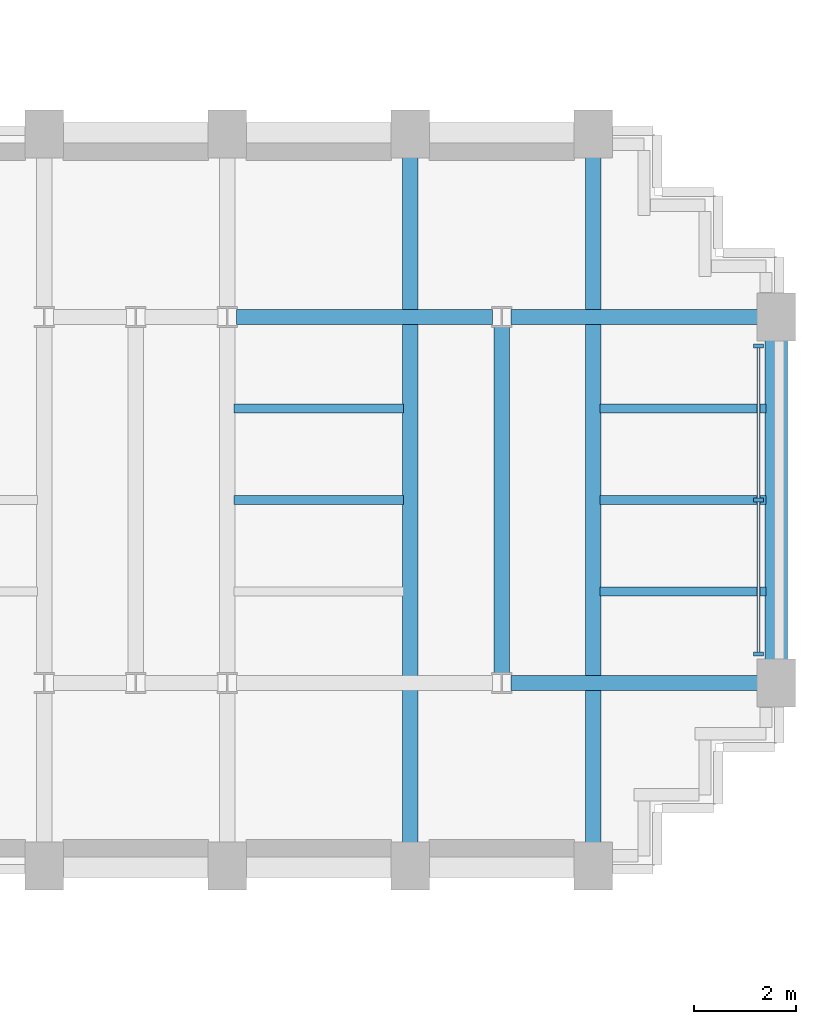
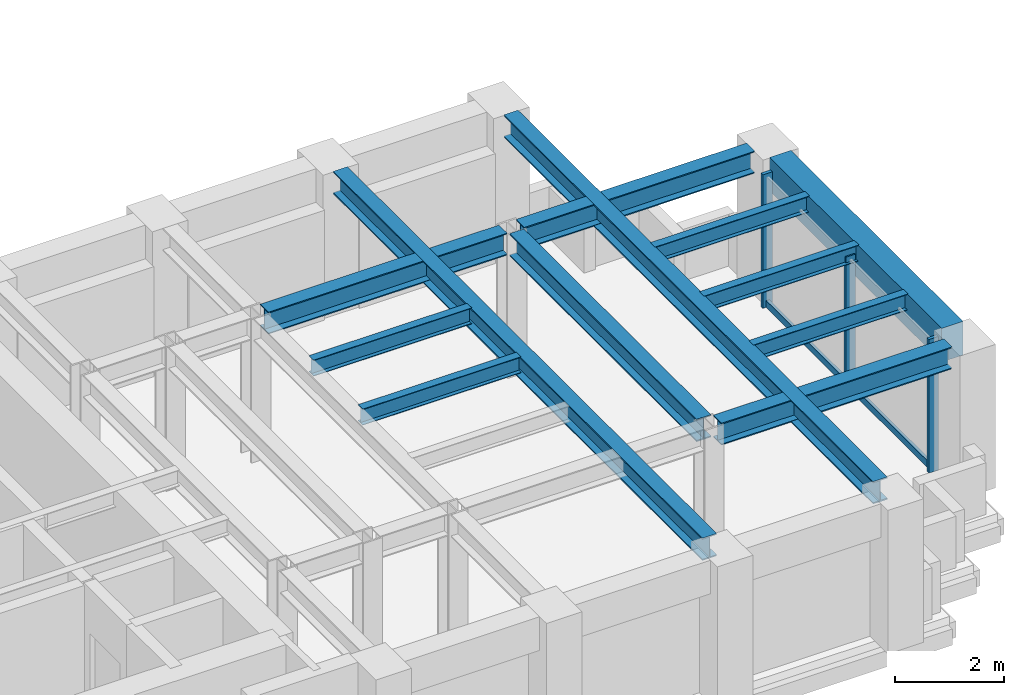
# One storey, part 6 of 16: 12 beams, 5 members, 1 element without a shape of its own.
"""IFC4 building model written with IfcOpenShell, lengths in metres."""

from ifc_helpers import new_model, si_unit, direction, frame, origin, origin_2d, place, context, subcontext, project, spatial, rectangle, i_section, extrude, source, transform, mapped, material, material_profile, profile_set, type_object, element, aggregate, save


model = new_model("IFC4")

# Units and contexts
model_context = context("Model", 3, precision=1e-05, world=origin(), true_north=direction((0.0, 1.0)))
body_context = subcontext(model_context, "Body", "Model", "MODEL_VIEW")
ifc_project = project(units=[si_unit("LENGTHUNIT", "METRE"), si_unit("AREAUNIT", "SQUARE_METRE"), si_unit("VOLUMEUNIT", "CUBIC_METRE"), si_unit("PLANEANGLEUNIT", "RADIAN"), si_unit("MASSUNIT", "GRAM", prefix="KILO")], contexts=[model_context])

# Site, building, storey
site_placement = place(None, origin())
site = spatial("IfcSite", under=ifc_project, at=site_placement, CompositionType="ELEMENT")
building_placement = place(site_placement, origin())
building = spatial("IfcBuilding", under=site, at=building_placement, Name="Keilestroom Media Tower", CompositionType="ELEMENT")
storey_placement = place(building_placement, frame((0.0, 0.0, 74.800048828125)))
storey = spatial("IfcBuildingStorey", under=building, at=storey_placement, Name="L19", CompositionType="ELEMENT", Elevation=74.800048828125)

# Beams
ifc_material_1 = material(Name="Precast concrete C40/50", Category="concrete")
ifc_material_profile_1 = material_profile(ifc_material_1, rectangle(XDim=0.449951171875, YDim=0.75, at=origin_2d()), Name="PC 450x750")
ifc_profile_set_1 = profile_set([ifc_material_profile_1], Name="Precast concrete C40/50")
beam_type_1 = type_object("IfcBeamType", Name="Perimeter-Spandrel-Beam-PC-450x750", PredefinedType="SPANDREL", material=ifc_profile_set_1)
shared_shape_1 = source(origin(), body_context, "Body", "SweptSolid", [
    extrude(rectangle(XDim=0.449951171875, YDim=0.75, at=origin_2d()), origin(), (0.0, 0.0, 1.0), 6.2900390625),
])
beam_1_placement = place(storey_placement, frame((28.800048828125, -3.14501953125, 2.824951171875), z_axis=(0.0, 1.0, 0.0), x_axis=(-1.0, 0.0, 0.0)))
element("IfcBeam", 1, at=beam_1_placement, inside=storey, type_object=beam_type_1, Name="L19 Beam SPB-1 BM-L19-NS-086", PredefinedType="SPANDREL", context=body_context, shape_type="MappedRepresentation", body=[
    mapped(shared_shape_1, transform((0.0, 0.0, 0.0), x_axis=(1.0, 0.0, 0.0), y_axis=(0.0, 1.0, 0.0), z_axis=(0.0, 0.0, 1.0), scale=1.0)),
])
ifc_material_2 = material(Name="Steel S355", Category="steel")
ifc_material_profile_2 = material_profile(ifc_material_2, i_section(OverallWidth=0.300048828125, OverallDepth=0.5, WebThickness=0.012451171875, FlangeThickness=0.028076171875, at=origin_2d()), Name="HEB 500")
ifc_profile_set_2 = profile_set([ifc_material_profile_2], Name="Steel S355")
beam_type_2 = type_object("IfcBeamType", Name="Primary-Structural-Girder-HEB-500", PredefinedType="BEAM", material=ifc_profile_set_2)
shared_shape_2 = source(origin(), body_context, "Body", "SweptSolid", [
    extrude(i_section(OverallWidth=0.300048828125, OverallDepth=0.5, WebThickness=0.012451171875, FlangeThickness=0.028076171875, at=origin_2d()), origin(), (0.0, 0.0, 1.0), 13.490234375),
])
for number, where, z_axis, x_axis, name in (
    (2, (21.60009765625, -6.7451171875, 2.949951171875), (0.0, 1.0, 0.0), (-1.0, 0.0, 0.0), "L19 Beam BG-6 BM-L19-NS-083"),
    (3, (25.199951171875, -6.7451171875, 2.949951171875), (0.0, 1.0, 0.0), (-1.0, 0.0, 0.0), "L19 Beam BG-6 BM-L19-NS-085"),
):
    element("IfcBeam", number, at=place(storey_placement, frame(where, z_axis=z_axis, x_axis=x_axis)), inside=storey, type_object=beam_type_2, Name=name, PredefinedType="BEAM", context=body_context, shape_type="MappedRepresentation", body=[
        mapped(shared_shape_2, transform((0.0, 0.0, 0.0), x_axis=(1.0, 0.0, 0.0), y_axis=(0.0, 1.0, 0.0), z_axis=(0.0, 0.0, 1.0), scale=1.0)),
    ])
shared_shape_3 = source(origin(), body_context, "Body", "SweptSolid", [
    extrude(i_section(OverallWidth=0.300048828125, OverallDepth=0.5, WebThickness=0.012451171875, FlangeThickness=0.028076171875, at=origin_2d()), origin(), (0.0, 0.0, 1.0), 6.8330078125),
])
beam_2_placement = place(storey_placement, frame((23.39990234375, -3.41650390625, 2.949951171875), z_axis=(0.0, 1.0, 0.0), x_axis=(-1.0, 0.0, 0.0)))
element("IfcBeam", 4, at=beam_2_placement, inside=storey, type_object=beam_type_2, Name="L19 Beam BG-6 BM-L19-NS-084", PredefinedType="BEAM", context=body_context, shape_type="MappedRepresentation", body=[
    mapped(shared_shape_3, transform((0.0, 0.0, 0.0), x_axis=(1.0, 0.0, 0.0), y_axis=(0.0, 1.0, 0.0), z_axis=(0.0, 0.0, 1.0), scale=1.0)),
])
ifc_material_profile_3 = material_profile(ifc_material_2, i_section(OverallWidth=0.300048828125, OverallDepth=0.489990234375, WebThickness=0.011962890625, FlangeThickness=0.02294921875, at=origin_2d()), Name="HEA 500")
ifc_profile_set_3 = profile_set([ifc_material_profile_3], Name="Steel S355")
beam_type_3 = type_object("IfcBeamType", Name="Primary-Structural-Girder-HEA-500", PredefinedType="BEAM", material=ifc_profile_set_3)
shared_shape_4 = source(origin(), body_context, "Body", "SweptSolid", [
    extrude(i_section(OverallWidth=0.300048828125, OverallDepth=0.489990234375, WebThickness=0.011962890625, FlangeThickness=0.02294921875, at=origin_2d()), origin(), (0.0, 0.0, 1.0), 4.863037109375),
])
for number, where, z_axis, x_axis, name in (
    (5, (23.58203125, -3.60009765625, 2.954833984375), (1.0, 0.0, 0.0), (0.0, 1.0, 0.0), "L19 Beam BG-10 BM-L19-EW-025"),
    (6, (23.58203125, 3.60009765625, 2.954833984375), (1.0, 0.0, 0.0), (0.0, 1.0, 0.0), "L19 Beam BG-10 BM-L19-EW-033"),
):
    element("IfcBeam", number, at=place(storey_placement, frame(where, z_axis=z_axis, x_axis=x_axis)), inside=storey, type_object=beam_type_3, Name=name, PredefinedType="BEAM", context=body_context, shape_type="MappedRepresentation", body=[
        mapped(shared_shape_4, transform((0.0, 0.0, 0.0), x_axis=(1.0, 0.0, 0.0), y_axis=(0.0, 1.0, 0.0), z_axis=(0.0, 0.0, 1.0), scale=1.0)),
    ])
shared_shape_5 = source(origin(), body_context, "Body", "SweptSolid", [
    extrude(i_section(OverallWidth=0.300048828125, OverallDepth=0.489990234375, WebThickness=0.011962890625, FlangeThickness=0.02294921875, at=origin_2d()), origin(), (0.0, 0.0, 1.0), 5.0361328125),
])
beam_3_placement = place(storey_placement, frame((18.181884765625, 3.60009765625, 2.954833984375), z_axis=(1.0, 0.0, 0.0), x_axis=(0.0, 1.0, 0.0)))
element("IfcBeam", 7, at=beam_3_placement, inside=storey, type_object=beam_type_3, Name="L19 Beam BG-10 BM-L19-EW-032", PredefinedType="BEAM", context=body_context, shape_type="MappedRepresentation", body=[
    mapped(shared_shape_5, transform((0.0, 0.0, 0.0), x_axis=(1.0, 0.0, 0.0), y_axis=(0.0, 1.0, 0.0), z_axis=(0.0, 0.0, 1.0), scale=1.0)),
])
ifc_material_profile_4 = material_profile(ifc_material_2, i_section(OverallWidth=0.169921875, OverallDepth=0.360107421875, WebThickness=0.008056640625, FlangeThickness=0.0126953125, at=origin_2d()), Name="IPE 360")
ifc_profile_set_4 = profile_set([ifc_material_profile_4], Name="Steel S355")
beam_type_4 = type_object("IfcBeamType", Name="Secondary-Floor-Joist-IPE-360", PredefinedType="JOIST", material=ifc_profile_set_4)
shared_shape_6 = source(origin(), body_context, "Body", "SweptSolid", [
    extrude(i_section(OverallWidth=0.169921875, OverallDepth=0.360107421875, WebThickness=0.008056640625, FlangeThickness=0.0126953125, at=origin_2d()), origin(), (0.0, 0.0, 1.0), 3.264892578125),
])
for number, where, z_axis, x_axis, name in (
    (8, (25.330078125, -1.800048828125, 3.02001953125), (1.0, 0.0, 0.0), (0.0, 1.0, 0.0), "L19 Beam BJ-5 JST-L19-095"),
    (9, (25.330078125, 0.0, 3.02001953125), (1.0, 0.0, 0.0), (0.0, 1.0, 0.0), "L19 Beam BJ-5 JST-L19-102"),
    (10, (25.330078125, 1.800048828125, 3.02001953125), (1.0, 0.0, 0.0), (0.0, 1.0, 0.0), "L19 Beam BJ-5 JST-L19-109"),
):
    element("IfcBeam", number, at=place(storey_placement, frame(where, z_axis=z_axis, x_axis=x_axis)), inside=storey, type_object=beam_type_4, Name=name, PredefinedType="JOIST", context=body_context, shape_type="MappedRepresentation", body=[
        mapped(shared_shape_6, transform((0.0, 0.0, 0.0), x_axis=(1.0, 0.0, 0.0), y_axis=(0.0, 1.0, 0.0), z_axis=(0.0, 0.0, 1.0), scale=1.0)),
    ])
shared_shape_7 = source(origin(), body_context, "Body", "SweptSolid", [
    extrude(i_section(OverallWidth=0.169921875, OverallDepth=0.360107421875, WebThickness=0.008056640625, FlangeThickness=0.0126953125, at=origin_2d()), origin(), (0.0, 0.0, 1.0), 3.340087890625),
])
for number, where, z_axis, x_axis, name in (
    (11, (18.1298828125, 0.0, 3.02001953125), (1.0, 0.0, 0.0), (0.0, 1.0, 0.0), "L19 Beam BJ-5 JST-L19-101"),
    (12, (18.1298828125, 1.800048828125, 3.02001953125), (1.0, 0.0, 0.0), (0.0, 1.0, 0.0), "L19 Beam BJ-5 JST-L19-108"),
):
    element("IfcBeam", number, at=place(storey_placement, frame(where, z_axis=z_axis, x_axis=x_axis)), inside=storey, type_object=beam_type_4, Name=name, PredefinedType="JOIST", context=body_context, shape_type="MappedRepresentation", body=[
        mapped(shared_shape_7, transform((0.0, 0.0, 0.0), x_axis=(1.0, 0.0, 0.0), y_axis=(0.0, 1.0, 0.0), z_axis=(0.0, 0.0, 1.0), scale=1.0)),
    ])

# Curtain wall, members
ifc_material_3 = material(Name="Anodised Aluminium Alloy", Category="aluminium")
curtain_wall_type = type_object("IfcCurtainWallType", Name="Unitised-Curtain-Wall-CW-1", PredefinedType="NOTDEFINED", material=ifc_material_3)
curtain_wall_placement = place(storey_placement, origin())
curtain_wall = element("IfcCurtainWall", 13, at=curtain_wall_placement, inside=storey, type_object=curtain_wall_type, Name="L19 Curtain Wall CW-1 CW-L19-E-1", PredefinedType="NOTDEFINED")
ifc_material_profile_5 = material_profile(ifc_material_3, rectangle(XDim=0.070068359375, YDim=0.199951171875, at=origin_2d()), Name="ALU MULLION 70x200")
ifc_profile_set_5 = profile_set([ifc_material_profile_5], Name="Anodised Aluminium Alloy")
member_type_1 = type_object("IfcMemberType", Name="Curtain-Wall-Mullion-CW-1", PredefinedType="MULLION", material=ifc_profile_set_5)
shared_shape_8 = source(origin(), body_context, "Body", "SweptSolid", [
    extrude(rectangle(XDim=0.070068359375, YDim=0.199951171875, at=origin_2d()), origin(), (0.0, 0.0, 1.0), 2.97998046875),
])
member_1_placement = place(storey_placement, frame((28.449951171875, -3.030029296875, 0.0), z_axis=(0.0, 0.0, 1.0), x_axis=(0.0, 1.0, 0.0)))
member_1 = element("IfcMember", 14, at=member_1_placement, type_object=member_type_1, Name="CW-1 Mullion 00", PredefinedType="MULLION", context=body_context, shape_type="MappedRepresentation", body=[
    mapped(shared_shape_8, transform((0.0, 0.0, 0.0), x_axis=(1.0, 0.0, 0.0), y_axis=(0.0, 1.0, 0.0), z_axis=(0.0, 0.0, 1.0), scale=1.0)),
])
member_2_placement = place(storey_placement, frame((28.449951171875, 0.0, 0.0), z_axis=(0.0, 0.0, 1.0), x_axis=(0.0, 1.0, 0.0)))
member_2 = element("IfcMember", 15, at=member_2_placement, type_object=member_type_1, Name="CW-1 Mullion 01", PredefinedType="MULLION", context=body_context, shape_type="MappedRepresentation", body=[
    mapped(shared_shape_8, transform((0.0, 0.0, 0.0), x_axis=(1.0, 0.0, 0.0), y_axis=(0.0, 1.0, 0.0), z_axis=(0.0, 0.0, 1.0), scale=1.0)),
])
member_3_placement = place(storey_placement, frame((28.449951171875, 3.030029296875, 0.0), z_axis=(0.0, 0.0, 1.0), x_axis=(0.0, 1.0, 0.0)))
member_3 = element("IfcMember", 16, at=member_3_placement, type_object=member_type_1, Name="CW-1 Mullion 02", PredefinedType="MULLION", context=body_context, shape_type="MappedRepresentation", body=[
    mapped(shared_shape_8, transform((0.0, 0.0, 0.0), x_axis=(1.0, 0.0, 0.0), y_axis=(0.0, 1.0, 0.0), z_axis=(0.0, 0.0, 1.0), scale=1.0)),
])
ifc_material_profile_6 = material_profile(ifc_material_3, rectangle(XDim=0.06494140625, YDim=0.14990234375, at=origin_2d()), Name="ALU TRANSOM 65x150")
ifc_profile_set_6 = profile_set([ifc_material_profile_6], Name="Anodised Aluminium Alloy")
member_type_2 = type_object("IfcMemberType", Name="Curtain-Wall-Transom-CW-1", PredefinedType="USERDEFINED", material=ifc_profile_set_6)
shared_shape_9 = source(origin(), body_context, "Body", "SweptSolid", [
    extrude(rectangle(XDim=0.06494140625, YDim=0.14990234375, at=origin_2d()), origin(), (0.0, 0.0, 1.0), 2.964111328125),
])
member_4_placement = place(storey_placement, frame((28.449951171875, -2.9970703125, 0.074951171875), z_axis=(0.0, 1.0, 0.0), x_axis=(-1.0, 0.0, 0.0)))
member_4 = element("IfcMember", 17, at=member_4_placement, type_object=member_type_2, Name="CW-1 Transom 00.1", ObjectType="TRANSOM", PredefinedType="USERDEFINED", context=body_context, shape_type="MappedRepresentation", body=[
    mapped(shared_shape_9, transform((0.0, 0.0, 0.0), x_axis=(1.0, 0.0, 0.0), y_axis=(0.0, 1.0, 0.0), z_axis=(0.0, 0.0, 1.0), scale=1.0)),
])
member_5_placement = place(storey_placement, frame((28.449951171875, 0.032958984375, 0.074951171875), z_axis=(0.0, 1.0, 0.0), x_axis=(-1.0, 0.0, 0.0)))
member_5 = element("IfcMember", 18, at=member_5_placement, type_object=member_type_2, Name="CW-1 Transom 01.1", ObjectType="TRANSOM", PredefinedType="USERDEFINED", context=body_context, shape_type="MappedRepresentation", body=[
    mapped(shared_shape_9, transform((0.0, 0.0, 0.0), x_axis=(1.0, 0.0, 0.0), y_axis=(0.0, 1.0, 0.0), z_axis=(0.0, 0.0, 1.0), scale=1.0)),
])
aggregate(curtain_wall, [member_1, member_2, member_3, member_4, member_5])

save(model, "model.ifc")
